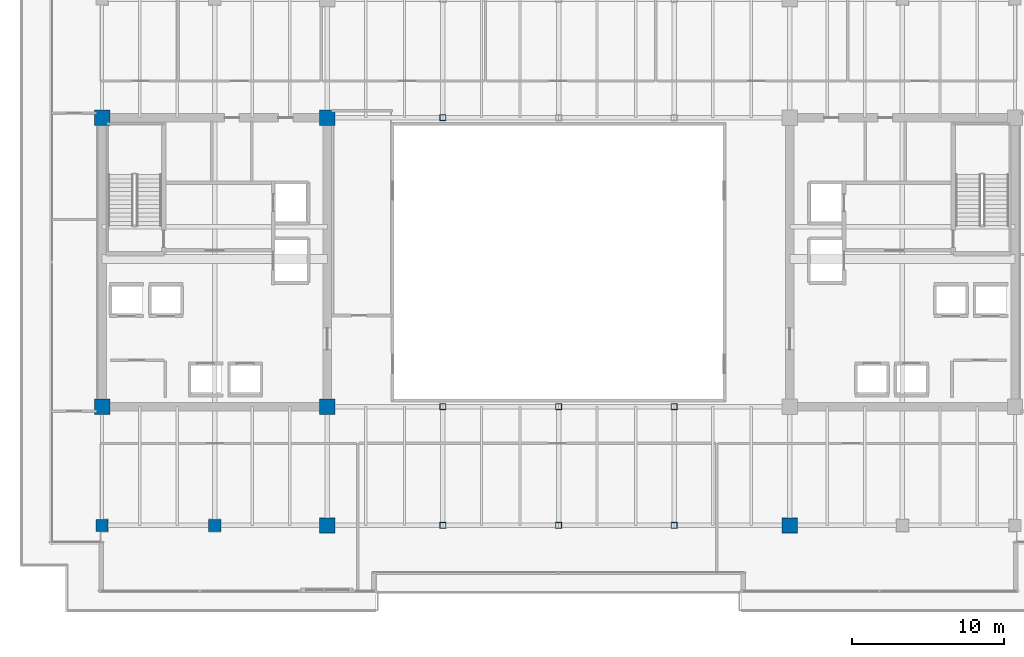
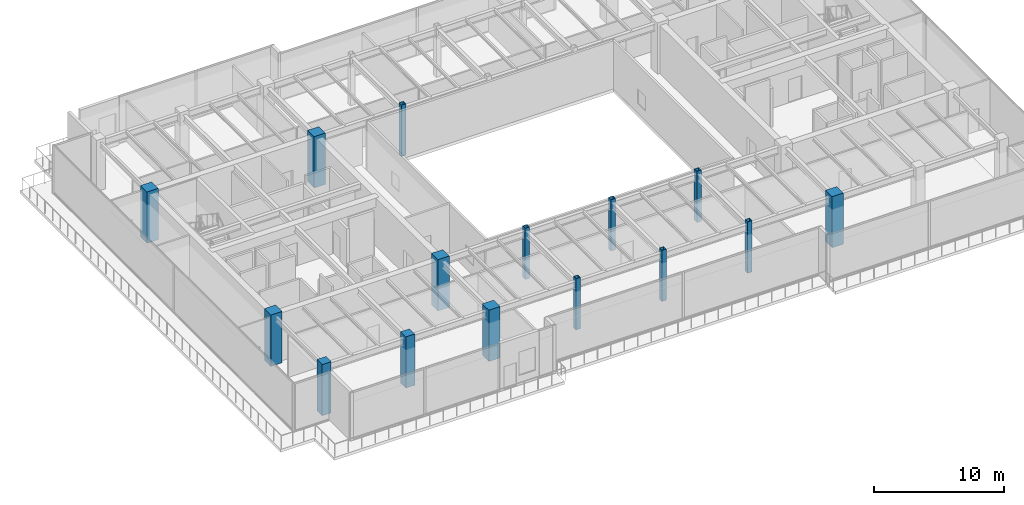
# One storey, part 1 of 37: 15 columns.
"""IFC4 building model written with IfcOpenShell, lengths in metres."""

from ifc_helpers import new_model, si_unit, direction, frame, origin, origin_2d, place, context, subcontext, project, spatial, rectangle, hollow_rectangle, extrude, source, transform, mapped, material, material_profile, profile_set, type_object, type_shapes, element, save


model = new_model("IFC4")

# Units and contexts
model_context = context("Model", 3, precision=1e-05, world=origin(), true_north=direction((0.0, 1.0)))
body_context = subcontext(model_context, "Body", "Model", "MODEL_VIEW")
ifc_project = project(units=[si_unit("LENGTHUNIT", "METRE"), si_unit("AREAUNIT", "SQUARE_METRE"), si_unit("VOLUMEUNIT", "CUBIC_METRE"), si_unit("PLANEANGLEUNIT", "RADIAN"), si_unit("MASSUNIT", "GRAM", prefix="KILO")], contexts=[model_context])

# Site, building, storey
site_placement = place(None, origin())
site = spatial("IfcSite", under=ifc_project, at=site_placement, CompositionType="ELEMENT")
building_placement = place(site_placement, origin())
building = spatial("IfcBuilding", under=site, at=building_placement, Name="Haelvirn Gate Laboratories", CompositionType="ELEMENT")
storey_placement = place(building_placement, frame((0.0, 0.0, 196.60009765625)))
storey = spatial("IfcBuildingStorey", under=building, at=storey_placement, Name="L47", CompositionType="ELEMENT", Elevation=196.60009765625)

# Columns
ifc_material_1 = material(Name="Concrete C60/75", Category="concrete")
ifc_material_profile_1 = material_profile(ifc_material_1, rectangle(XDim=1.0, YDim=1.0, at=origin_2d()), Name="RC-1000x1000")
ifc_profile_set_1 = profile_set([ifc_material_profile_1], Name="Concrete C60/75")
column_type_1 = type_object("IfcColumnType", Name="COL-RC-1000", PredefinedType="COLUMN", material=ifc_profile_set_1)
shared_shape_1 = source(origin(), body_context, "Body", "SweptSolid", [
    extrude(rectangle(XDim=1.0, YDim=1.0, at=origin_2d()), origin(), (0.0, 0.0, 1.0), 4.7998046875),
])
type_shapes(column_type_1, [shared_shape_1])
for number, where, z_axis, x_axis, name in (
    (1, (22.199951171875, 7.0, 0.0), (0.0, 0.0, 1.0), (1.0, 0.0, 0.0), "L47 Column 4B"),
    (2, (7.39990234375, 14.800048828125, 0.0), (0.0, 0.0, 1.0), (1.0, 0.0, 0.0), "L47 Column 2C"),
    (3, (22.199951171875, 14.800048828125, 0.0), (0.0, 0.0, 1.0), (1.0, 0.0, 0.0), "L47 Column 4C"),
    (4, (7.39990234375, 33.800048828125, 0.0), (0.0, 0.0, 1.0), (1.0, 0.0, 0.0), "L47 Column 2F"),
    (5, (22.199951171875, 33.800048828125, 0.0), (0.0, 0.0, 1.0), (1.0, 0.0, 0.0), "L47 Column 4F"),
    (6, (52.60009765625, 7.0, 0.0), (0.0, 0.0, 1.0), (1.0, 0.0, 0.0), "L47 Column 8B"),
):
    element("IfcColumn", number, at=place(storey_placement, frame(where, z_axis=z_axis, x_axis=x_axis)), inside=storey, type_object=column_type_1, Name=name, PredefinedType="COLUMN", context=body_context, shape_type="MappedRepresentation", body=[
        mapped(shared_shape_1, transform((0.0, 0.0, 0.0), scale=1.0)),
    ])
ifc_material_2 = material(Name="Concrete C50/60", Category="concrete")
ifc_material_profile_2 = material_profile(ifc_material_2, rectangle(XDim=0.800048828125, YDim=0.800048828125, at=origin_2d()), Name="RC-800x800")
ifc_profile_set_2 = profile_set([ifc_material_profile_2], Name="Concrete C50/60")
column_type_2 = type_object("IfcColumnType", Name="COL-RC-800", PredefinedType="COLUMN", material=ifc_profile_set_2)
shared_shape_2 = source(origin(), body_context, "Body", "SweptSolid", [
    extrude(rectangle(XDim=0.800048828125, YDim=0.800048828125, at=origin_2d()), origin(), (0.0, 0.0, 1.0), 4.7998046875),
])
type_shapes(column_type_2, [shared_shape_2])
for number, where, z_axis, x_axis, name in (
    (7, (14.800048828125, 7.0, 0.0), (0.0, 0.0, 1.0), (1.0, 0.0, 0.0), "L47 Column 3B"),
    (8, (7.39990234375, 7.0, 0.0), (0.0, 0.0, 1.0), (1.0, 0.0, 0.0), "L47 Column 2B"),
):
    element("IfcColumn", number, at=place(storey_placement, frame(where, z_axis=z_axis, x_axis=x_axis)), inside=storey, type_object=column_type_2, Name=name, PredefinedType="COLUMN", context=body_context, shape_type="MappedRepresentation", body=[
        mapped(shared_shape_2, transform((0.0, 0.0, 0.0), scale=1.0)),
    ])
ifc_material_3 = material(Name="Steel SM355", Category="steel")
ifc_material_profile_3 = material_profile(ifc_material_3, hollow_rectangle(XDim=0.39990234375, YDim=0.39990234375, WallThickness=0.01904296875, at=origin_2d()), Name="BOX-400x400x19")
ifc_profile_set_3 = profile_set([ifc_material_profile_3], Name="Steel SM355")
column_type_3 = type_object("IfcColumnType", Name="COL-BOX-400", PredefinedType="COLUMN", material=ifc_profile_set_3)
shared_shape_3 = source(origin(), body_context, "Body", "SweptSolid", [
    extrude(hollow_rectangle(XDim=0.39990234375, YDim=0.39990234375, WallThickness=0.01904296875, at=origin_2d()), origin(), (0.0, 0.0, 1.0), 4.7998046875),
])
type_shapes(column_type_3, [shared_shape_3])
for number, where, z_axis, x_axis, name in (
    (9, (29.800048828125, 7.0, 0.0), (0.0, 0.0, 1.0), (1.0, 0.0, 0.0), "L47 Column 5B"),
    (10, (29.800048828125, 14.800048828125, 0.0), (0.0, 0.0, 1.0), (1.0, 0.0, 0.0), "L47 Column 5C"),
    (11, (29.800048828125, 33.800048828125, 0.0), (0.0, 0.0, 1.0), (1.0, 0.0, 0.0), "L47 Column 5F"),
    (12, (37.39990234375, 7.0, 0.0), (0.0, 0.0, 1.0), (1.0, 0.0, 0.0), "L47 Column 6B"),
    (13, (37.39990234375, 14.800048828125, 0.0), (0.0, 0.0, 1.0), (1.0, 0.0, 0.0), "L47 Column 6C"),
    (14, (45.0, 7.0, 0.0), (0.0, 0.0, 1.0), (1.0, 0.0, 0.0), "L47 Column 7B"),
    (15, (45.0, 14.800048828125, 0.0), (0.0, 0.0, 1.0), (1.0, 0.0, 0.0), "L47 Column 7C"),
):
    element("IfcColumn", number, at=place(storey_placement, frame(where, z_axis=z_axis, x_axis=x_axis)), inside=storey, type_object=column_type_3, Name=name, PredefinedType="COLUMN", context=body_context, shape_type="MappedRepresentation", body=[
        mapped(shared_shape_3, transform((0.0, 0.0, 0.0), scale=1.0)),
    ])

save(model, "model.ifc")
